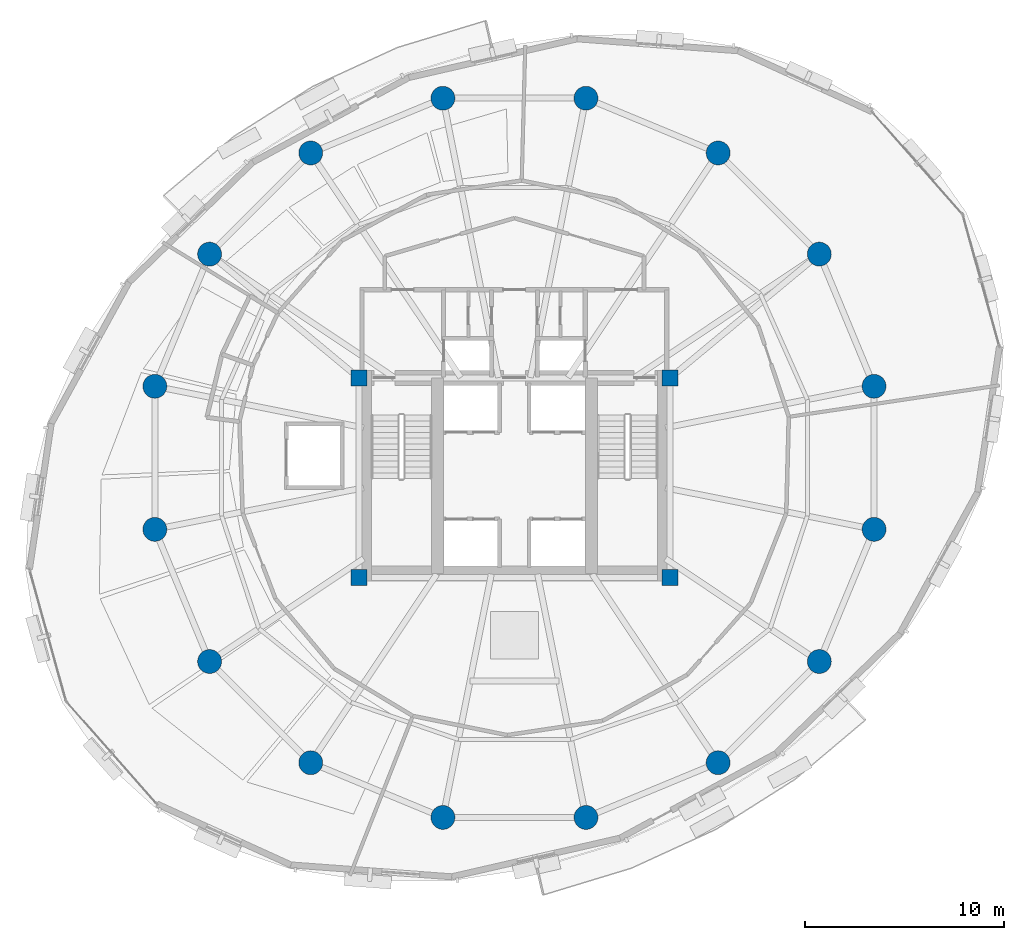
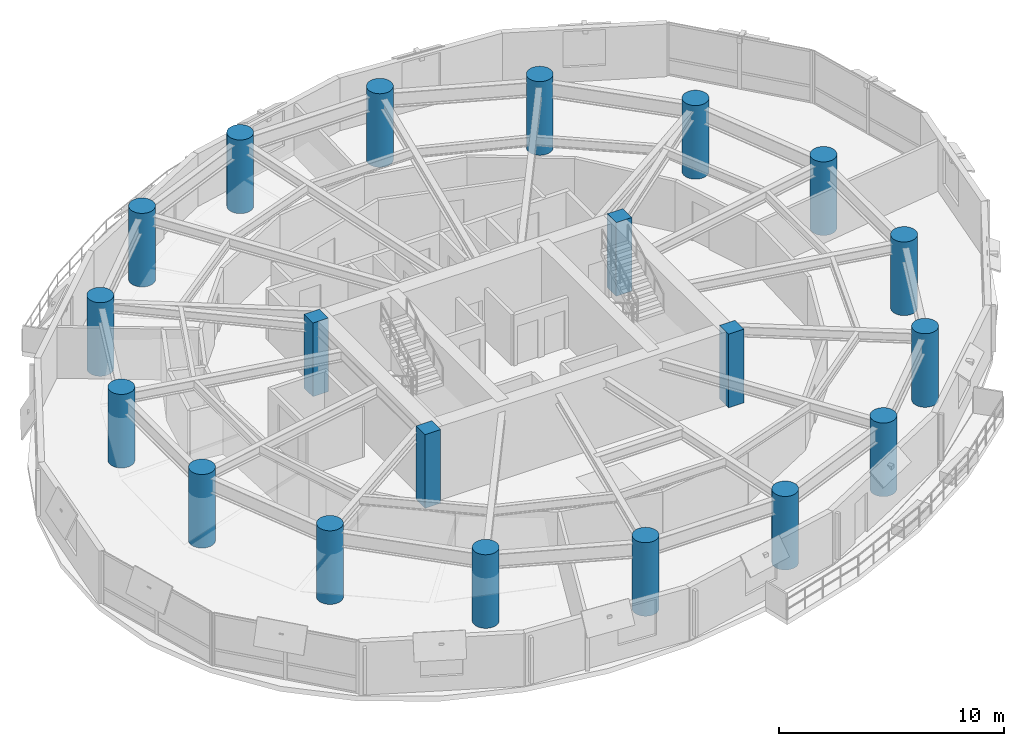
# One storey, part 1 of 12: 20 columns.
"""IFC4 building model written with IfcOpenShell, lengths in metres."""

from ifc_helpers import new_model, si_unit, direction, frame, origin, origin_2d, place, context, subcontext, project, spatial, rectangle, circle, extrude, material, material_profile, profile_set, type_object, element, save


model = new_model("IFC4")

# Units and contexts
model_context = context("Model", 3, precision=1e-05, world=origin(), true_north=direction((0.0, 1.0)))
body_context = subcontext(model_context, "Body", "Model", "MODEL_VIEW")
ifc_project = project(units=[si_unit("LENGTHUNIT", "METRE"), si_unit("AREAUNIT", "SQUARE_METRE"), si_unit("VOLUMEUNIT", "CUBIC_METRE"), si_unit("PLANEANGLEUNIT", "RADIAN"), si_unit("MASSUNIT", "GRAM", prefix="KILO"), si_unit("THERMODYNAMICTEMPERATUREUNIT", "KELVIN"), si_unit("POWERUNIT", "WATT")], contexts=[model_context])

# Site, building, storey
site_placement = place(None, origin())
site = spatial("IfcSite", under=ifc_project, at=site_placement, CompositionType="ELEMENT")
building_placement = place(site_placement, origin())
building = spatial("IfcBuilding", under=site, at=building_placement, Name="Ocrelia Relay Tower", CompositionType="ELEMENT")
storey_placement = place(building_placement, frame((0.0, 0.0, 153.800048828125)))
storey = spatial("IfcBuildingStorey", under=building, at=storey_placement, Name="L36", CompositionType="ELEMENT", Elevation=153.800048828125)

# Columns
ifc_material = material(Name="Concrete C60/75", Category="concrete")
ifc_material_profile_1 = material_profile(ifc_material, circle(Radius=0.60009765625, at=origin_2d()), Name="RC-CIR-1200")
ifc_profile_set_1 = profile_set([ifc_material_profile_1], Name="Concrete C60/75")
column_type_1 = type_object("IfcColumnType", Name="COL-CT-1200", PredefinedType="COLUMN", material=ifc_profile_set_1)
for number, where, z_axis, x_axis, name in (
    (1, (52.04638671875, 29.589599609375, 0.0), (0.0, 0.0, 1.0), (1.0, 0.0, 0.0), "L36 Perimeter Ring Column C01"),
    (2, (49.299072265625, 36.222412109375, 0.0), (0.0, 0.0, 1.0), (1.0, 0.0, 0.0), "L36 Perimeter Ring Column C02"),
    (3, (44.222412109375, 41.299072265625, 0.0), (0.0, 0.0, 1.0), (1.0, 0.0, 0.0), "L36 Perimeter Ring Column C03"),
    (4, (37.589599609375, 44.04638671875, 0.0), (0.0, 0.0, 1.0), (1.0, 0.0, 0.0), "L36 Perimeter Ring Column C04"),
    (5, (30.410400390625, 44.04638671875, 0.0), (0.0, 0.0, 1.0), (1.0, 0.0, 0.0), "L36 Perimeter Ring Column C05"),
    (6, (23.777587890625, 41.299072265625, 0.0), (0.0, 0.0, 1.0), (1.0, 0.0, 0.0), "L36 Perimeter Ring Column C06"),
    (7, (18.700927734375, 36.222412109375, 0.0), (0.0, 0.0, 1.0), (1.0, 0.0, 0.0), "L36 Perimeter Ring Column C07"),
    (8, (15.95361328125, 29.589599609375, 0.0), (0.0, 0.0, 1.0), (1.0, 0.0, 0.0), "L36 Perimeter Ring Column C08"),
    (9, (15.95361328125, 22.410400390625, 0.0), (0.0, 0.0, 1.0), (1.0, 0.0, 0.0), "L36 Perimeter Ring Column C09"),
    (10, (18.700927734375, 15.777587890625, 0.0), (0.0, 0.0, 1.0), (1.0, 0.0, 0.0), "L36 Perimeter Ring Column C10"),
    (11, (23.777587890625, 10.700927734375, 0.0), (0.0, 0.0, 1.0), (1.0, 0.0, 0.0), "L36 Perimeter Ring Column C11"),
    (12, (30.410400390625, 7.95361328125, 0.0), (0.0, 0.0, 1.0), (1.0, 0.0, 0.0), "L36 Perimeter Ring Column C12"),
    (13, (37.589599609375, 7.95361328125, 0.0), (0.0, 0.0, 1.0), (1.0, 0.0, 0.0), "L36 Perimeter Ring Column C13"),
    (14, (44.222412109375, 10.700927734375, 0.0), (0.0, 0.0, 1.0), (1.0, 0.0, 0.0), "L36 Perimeter Ring Column C14"),
    (15, (49.299072265625, 15.777587890625, 0.0), (0.0, 0.0, 1.0), (1.0, 0.0, 0.0), "L36 Perimeter Ring Column C15"),
    (16, (52.04638671875, 22.410400390625, 0.0), (0.0, 0.0, 1.0), (1.0, 0.0, 0.0), "L36 Perimeter Ring Column C16"),
):
    element("IfcColumn", number, at=place(storey_placement, frame(where, z_axis=z_axis, x_axis=x_axis)), inside=storey, type_object=column_type_1, Name=name, PredefinedType="COLUMN", context=body_context, shape_type="SweptSolid", body=[
        extrude(circle(Radius=0.60009765625, at=origin_2d()), origin(), (0.0, 0.0, 1.0), 4.0),
    ])
ifc_material_profile_2 = material_profile(ifc_material, rectangle(XDim=0.800048828125, YDim=0.800048828125, at=origin_2d()), Name="RC-COL-800x800")
ifc_profile_set_2 = profile_set([ifc_material_profile_2], Name="Concrete C60/75")
column_type_2 = type_object("IfcColumnType", Name="COL-PILASTER-800", PredefinedType="PILASTER", material=ifc_profile_set_2)
for number, where, z_axis, x_axis, name in (
    (17, (26.199951171875, 20.0, 0.0), (0.0, 0.0, 1.0), (1.0, 0.0, 0.0), "L36 Core Corner Pilaster SW"),
    (18, (41.800048828125, 20.0, 0.0), (0.0, 0.0, 1.0), (1.0, 0.0, 0.0), "L36 Core Corner Pilaster SE"),
    (19, (26.199951171875, 30.0, 0.0), (0.0, 0.0, 1.0), (1.0, 0.0, 0.0), "L36 Core Corner Pilaster NW"),
    (20, (41.800048828125, 30.0, 0.0), (0.0, 0.0, 1.0), (1.0, 0.0, 0.0), "L36 Core Corner Pilaster NE"),
):
    element("IfcColumn", number, at=place(storey_placement, frame(where, z_axis=z_axis, x_axis=x_axis)), inside=storey, type_object=column_type_2, Name=name, PredefinedType="PILASTER", context=body_context, shape_type="SweptSolid", body=[
        extrude(rectangle(XDim=0.800048828125, YDim=0.800048828125, at=origin_2d()), origin(), (0.0, 0.0, 1.0), 4.0),
    ])

save(model, "model.ifc")
